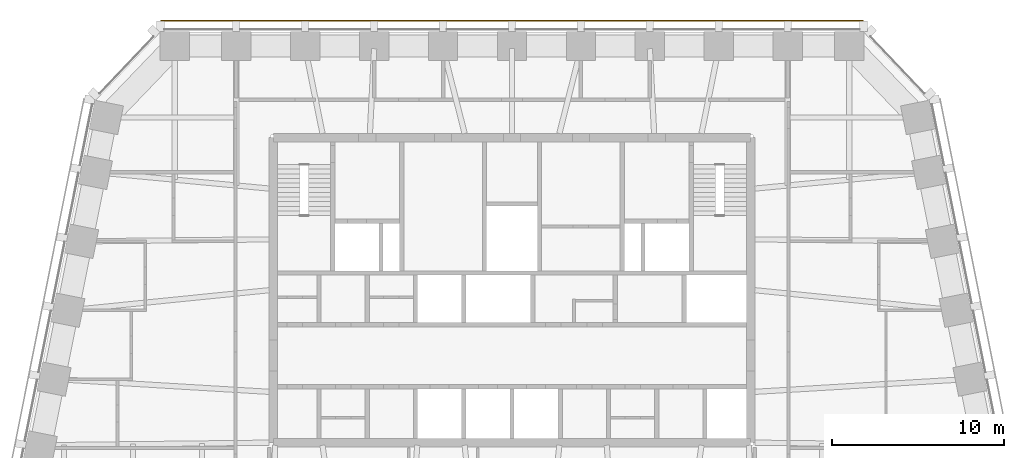
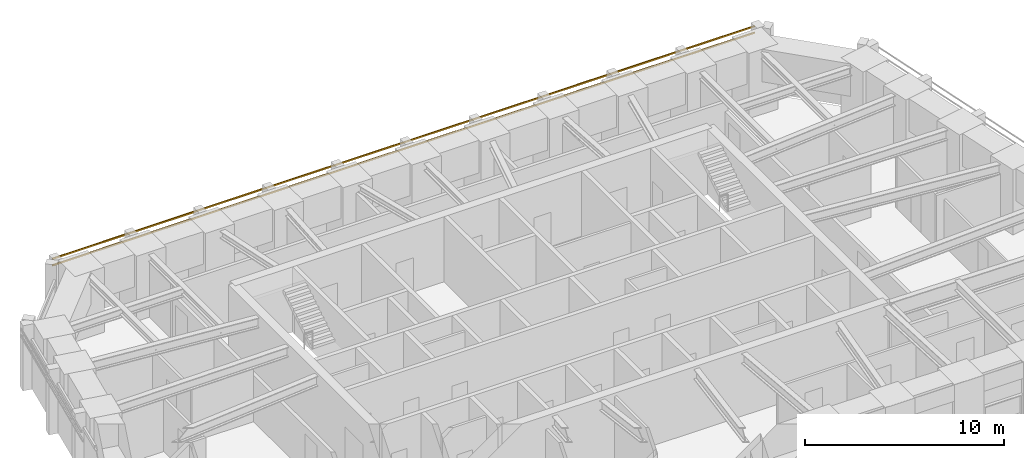
# One storey, part 10 of 10: 2 shading devices.
"""IFC4 building model written with IfcOpenShell, lengths in metres."""

from ifc_helpers import new_model, si_unit, direction, frame, origin, origin_2d, place, context, subcontext, project, spatial, rectangle, extrude, material, material_profile, profile_set, type_object, element, save


model = new_model("IFC4")

# Units and contexts
model_context = context("Model", 3, precision=1e-05, world=origin(), true_north=direction((0.0, 1.0)))
body_context = subcontext(model_context, "Body", "Model", "MODEL_VIEW")
ifc_project = project(units=[si_unit("LENGTHUNIT", "METRE"), si_unit("AREAUNIT", "SQUARE_METRE"), si_unit("VOLUMEUNIT", "CUBIC_METRE"), si_unit("PLANEANGLEUNIT", "RADIAN"), si_unit("MASSUNIT", "GRAM", prefix="KILO")], contexts=[model_context])

# Site, building, storey
site_placement = place(None, origin())
site = spatial("IfcSite", under=ifc_project, at=site_placement, CompositionType="ELEMENT")
building_placement = place(site_placement, origin())
building = spatial("IfcBuilding", under=site, at=building_placement, Name="Isbrekke Arena Tower", CompositionType="ELEMENT")
storey_placement = place(building_placement, frame((0.0, 0.0, 296.0)))
storey = spatial("IfcBuildingStorey", under=building, at=storey_placement, Name="L69", CompositionType="ELEMENT", Elevation=296.0)

# Shading devices
ifc_material = material(Name="Terracotta", Category="masonry")
ifc_material_profile = material_profile(ifc_material, rectangle(XDim=0.06005859375, YDim=0.06005859375, at=origin_2d()), Name="BAGUETTE 60X60")
ifc_profile_set = profile_set([ifc_material_profile], Name="Terracotta")
shading_device_type = type_object("IfcShadingDeviceType", Name="BG1 TERRACOTTA BAGUETTE 60 x 60", PredefinedType="USERDEFINED", material=ifc_profile_set)
for number, where, z_axis, x_axis, name in (
    (1, (20.39990234375, 30.655029296875, 3.280029296875), (-1.0, 0.0, 0.0), (0.0, -1.0, 0.0), "BG1 terracotta baguette N1 L69"),
    (2, (20.39990234375, 30.655029296875, 3.679931640625), (-1.0, 0.0, 0.0), (0.0, -1.0, 0.0), "BG1 terracotta baguette N2 L69"),
):
    element("IfcShadingDevice", number, at=place(storey_placement, frame(where, z_axis=z_axis, x_axis=x_axis)), inside=storey, type_object=shading_device_type, Name=name, ObjectType="TERRACOTTA BAGUETTE", PredefinedType="USERDEFINED", context=body_context, shape_type="SweptSolid", body=[
        extrude(rectangle(XDim=0.06005859375, YDim=0.06005859375, at=origin_2d()), origin(), (0.0, 0.0, 1.0), 40.7998046875),
    ])

save(model, "model.ifc")
